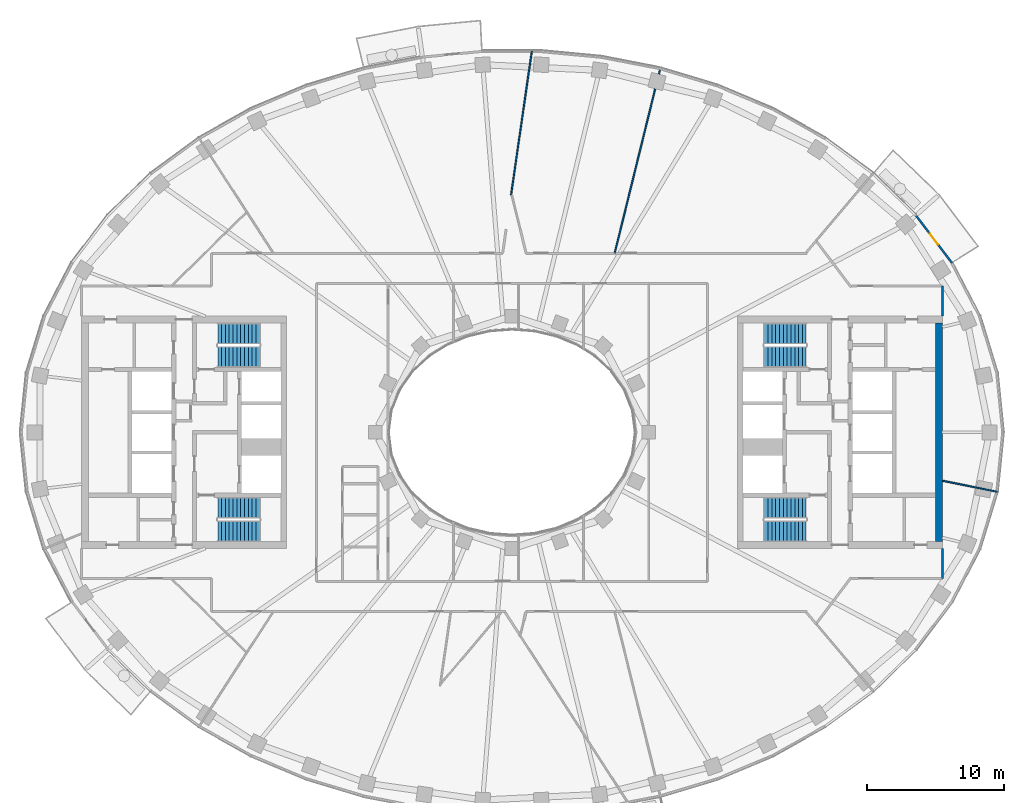
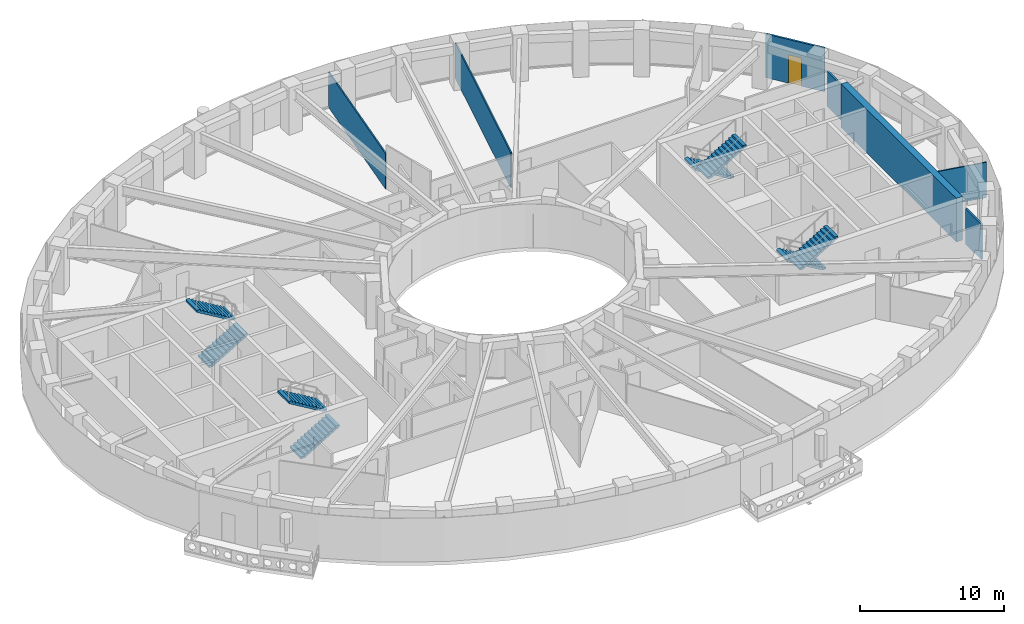
# One storey, part 7 of 16: 8 stair flights, 7 walls, 1 door, 1 opening, 4 elements without a shape of their own.
"""IFC4 building model written with IfcOpenShell, lengths in metres."""

from ifc_helpers import new_model, si_unit, direction, frame, frame_2d, origin, place, context, subcontext, project, spatial, polyline, rectangle, outline, extrude, material, layer, layer_set, type_object, element, fill, aggregate, save


model = new_model("IFC4")

# Units and contexts
model_context = context("Model", 3, precision=1e-05, world=origin(), true_north=direction((0.0, 1.0)))
body_context = subcontext(model_context, "Body", "Model", "MODEL_VIEW")
ifc_project = project(units=[si_unit("LENGTHUNIT", "METRE"), si_unit("AREAUNIT", "SQUARE_METRE"), si_unit("VOLUMEUNIT", "CUBIC_METRE"), si_unit("PLANEANGLEUNIT", "RADIAN"), si_unit("MASSUNIT", "GRAM", prefix="KILO")], contexts=[model_context])

# Site, building, storey
site_placement = place(None, origin())
site = spatial("IfcSite", under=ifc_project, at=site_placement, CompositionType="ELEMENT")
building_placement = place(site_placement, origin())
building = spatial("IfcBuilding", under=site, at=building_placement, Name="Noorbagh Ring Tower", CompositionType="ELEMENT")
storey_placement = place(building_placement, frame((0.0, 0.0, 257.5)))
storey = spatial("IfcBuildingStorey", under=building, at=storey_placement, Name="L54", CompositionType="ELEMENT", Elevation=257.5)

# Walls
ifc_material_1 = material(Name="Concrete C60/75", Category="concrete")
ifc_layer_1 = layer(ifc_material_1, 0.5)
ifc_layer_set_1 = layer_set([ifc_layer_1], Name="Concrete C60/75")
wall_type_1 = type_object("IfcWallType", Name="CORE-WALL-500-C60-75-EI240", PredefinedType="SHEAR", material=ifc_layer_set_1)
wall_1_placement = place(storey_placement, frame((31.25, -8.0, 0.0), z_axis=(0.0, 0.0, 1.0), x_axis=(0.0, 1.0, 0.0)))
element("IfcWall", 1, at=wall_1_placement, inside=storey, type_object=wall_type_1, Name="Core wall E", PredefinedType="SHEAR", context=body_context, shape_type="SweptSolid", body=[
    extrude(rectangle(XDim=16.0, YDim=0.5, at=frame_2d((8.0, 0.0))), origin(), (0.0, 0.0, 1.0), 3.699951171875),
])
ifc_material_2 = material(Name="Gypsum board on steel studs", Category="steel")
ifc_layer_2 = layer(ifc_material_2, 0.14990234375)
ifc_layer_set_2 = layer_set([ifc_layer_2], Name="Gypsum board on steel studs")
wall_type_2 = type_object("IfcWallType", Name="CORRIDOR PARTITION 150 EI 30", PredefinedType="PARTITIONING", material=ifc_layer_set_2)
for number, where, z_axis, x_axis, name in (
    (2, (31.5, -10.699951171875, 0.0), (0.0, 0.0, 1.0), (0.0, 1.0, 0.0), "L54/wall/P60"),
    (3, (31.5, 8.5, 0.0), (0.0, 0.0, 1.0), (0.0, 1.0, 0.0), "L54/wall/P62"),
):
    element("IfcWall", number, at=place(storey_placement, frame(where, z_axis=z_axis, x_axis=x_axis)), inside=storey, type_object=wall_type_2, Name=name, PredefinedType="PARTITIONING", context=body_context, shape_type="SweptSolid", body=[
        extrude(rectangle(XDim=2.199951171875, YDim=0.14990234375, at=frame_2d((1.10009765625, 0.0))), origin(), (0.0, 0.0, 1.0), 3.0),
    ])

# Wall, opening, door
ifc_material_3 = material(Name="Insulated aluminium clad panel", Category="aluminium")
ifc_layer_3 = layer(ifc_material_3, 0.14990234375)
ifc_layer_set_3 = layer_set([ifc_layer_3], Name="Insulated aluminium clad panel")
wall_type_3 = type_object("IfcWallType", Name="ENV-WALL-DOOR", PredefinedType="STANDARD", material=ifc_layer_set_3)
wall_2_placement = place(storey_placement, frame((32.20751953125, 12.37353515625, 0.0), z_axis=(0.0, 0.0, 1.0), x_axis=(-0.604045763106, 0.796949632081, 0.0)))
wall_2 = element("IfcWall", 4, at=wall_2_placement, inside=storey, type_object=wall_type_3, Name="Balcony door wall chord 04", PredefinedType="STANDARD", context=body_context, shape_type="SweptSolid", body=[
    extrude(rectangle(XDim=4.42333984375, YDim=0.14990234375, at=frame_2d((2.211669921875, 0.0))), origin(), (0.0, 0.0, 1.0), 3.699951171875),
])
opening_placement = place(wall_2_placement, frame((1.711669921875, 0.0, 0.0)))
opening = element("IfcOpeningElement", 5, at=opening_placement, cuts=wall_2, Name="Opening D-BL", PredefinedType="OPENING", context=body_context, shape_type="SweptSolid", body=[
    extrude(rectangle(XDim=1.0, YDim=2.39990234375, at=frame_2d((0.5, 1.199951171875))), frame((0.0, 0.0849609375, 0.0), z_axis=(0.0, -1.0, 0.0), x_axis=(1.0, 0.0, 0.0)), (0.0, 0.0, 1.0), 0.169921875),
])
ifc_material_4 = material(Name="Aluminium and glass", Category="aluminium")
door_type = type_object("IfcDoorType", Name="ENV-DOOR-BALCONY", OperationType="SINGLE_SWING_LEFT", PredefinedType="DOOR", material=ifc_material_4)
door_placement = place(opening_placement, origin())
door = element("IfcDoor", 6, at=door_placement, inside=storey, type_object=door_type, Name="Balcony door chord 04", OperationType="SINGLE_SWING_LEFT", OverallHeight=2.39990234375, OverallWidth=1.0, PredefinedType="DOOR", context=body_context, shape_type="SweptSolid", body=[
    extrude(rectangle(XDim=1.0, YDim=2.39990234375, at=frame_2d((0.5, 1.199951171875))), frame((0.0, 0.02490234375, 0.0), z_axis=(0.0, -1.0, 0.0), x_axis=(1.0, 0.0, 0.0)), (0.0, 0.0, 1.0), 0.050048828125),
])
fill(opening, door)

# Walls
ifc_material_5 = material(Name="Gypsum board on steel studs", Category="steel")
ifc_layer_4 = layer(ifc_material_5, 0.10009765625)
ifc_layer_set_4 = layer_set([ifc_layer_4], Name="Gypsum board on steel studs")
wall_type_4 = type_object("IfcWallType", Name="PARTITION 100 GYPSUM", PredefinedType="PARTITIONING", material=ifc_layer_set_4)
wall_3_placement = place(storey_placement, frame((-0.070068359375, 17.364013671875, 0.0), z_axis=(0.0, 0.0, 1.0), x_axis=(0.143049923822, 0.989715473909, 0.0)))
element("IfcWall", 7, at=wall_3_placement, inside=storey, type_object=wall_type_4, Name="L54/wall/P34", PredefinedType="PARTITIONING", context=body_context, shape_type="SweptSolid", body=[
    extrude(rectangle(XDim=10.639404296875, YDim=0.10009765625, at=frame_2d((5.31982421875, 0.0))), origin(), (0.0, 0.0, 1.0), 3.0),
])
wall_4_placement = place(storey_placement, frame((7.509033203125, 13.10009765625, 0.0), z_axis=(0.0, 0.0, 1.0), x_axis=(0.239669025128, 0.970854653588, 0.0)))
element("IfcWall", 8, at=wall_4_placement, inside=storey, type_object=wall_type_4, Name="L54/wall/P47", PredefinedType="PARTITIONING", context=body_context, shape_type="SweptSolid", body=[
    extrude(rectangle(XDim=13.95263671875, YDim=0.10009765625, at=frame_2d((6.976318359375, 0.0))), origin(), (0.0, 0.0, 1.0), 3.0),
])
wall_5_placement = place(storey_placement, frame((31.5, -3.5419921875, 0.0), z_axis=(0.0, 0.0, 1.0), x_axis=(0.980357474535, -0.197228857227, 0.0)))
element("IfcWall", 9, at=wall_5_placement, inside=storey, type_object=wall_type_4, Name="L54/wall/P61", PredefinedType="PARTITIONING", context=body_context, shape_type="SweptSolid", body=[
    extrude(rectangle(XDim=4.09228515625, YDim=0.10009765625, at=frame_2d((2.046142578125, 0.0))), origin(), (0.0, 0.0, 1.0), 3.0),
])

# Stair, stair flights
ifc_material_6 = material(Name="Concrete C40/50", Category="concrete")
stair_type = type_object("IfcStairType", Name="CORE-STAIR", PredefinedType="HALF_TURN_STAIR", material=ifc_material_6)
stair_1_placement = place(storey_placement, origin())
stair_1 = element("IfcStair", 10, at=stair_1_placement, inside=storey, type_object=stair_type, Name="L54 Exit stair ST1", PredefinedType="HALF_TURN_STAIR")
ifc_material_7 = material(Name="Concrete C40/50", Category="concrete")
stair_flight_type = type_object("IfcStairFlightType", Name="CORE-STAIR-FLIGHT", PredefinedType="STRAIGHT", material=ifc_material_7)
stair_flight_1_placement = place(storey_placement, frame((-21.530029296875, 5.52490234375, 0.0), z_axis=(0.0, 0.0, 1.0), x_axis=(1.0, 0.0, 0.0)))
stair_flight_1 = element("IfcStairFlight", 11, at=stair_flight_1_placement, type_object=stair_flight_type, Name="ST1 flight 1", NumberOfRisers=12, NumberOfTreads=11, PredefinedType="STRAIGHT", RiserHeight=0.166666667, TreadLength=0.28, context=body_context, shape_type="SweptSolid", body=[
    extrude(outline(polyline([(0.0, 0.0), (0.0, 0.166748046875), (0.280029296875, 0.166748046875), (0.280029296875, 0.333251953125), (0.56005859375, 0.333251953125), (0.56005859375, 0.5), (0.840087890625, 0.5), (0.840087890625, 0.666748046875), (1.1201171875, 0.666748046875), (1.1201171875, 0.833251953125), (1.39990234375, 0.833251953125), (1.39990234375, 1.0), (1.679931640625, 1.0), (1.679931640625, 1.166748046875), (1.9599609375, 1.166748046875), (1.9599609375, 1.333251953125), (2.239990234375, 1.333251953125), (2.239990234375, 1.5), (2.52001953125, 1.5), (2.52001953125, 1.666748046875), (2.800048828125, 1.666748046875), (2.800048828125, 1.833251953125), (3.080078125, 1.833251953125), (3.080078125, 2.0), (3.080078125, 1.658935546875), (0.29296875, 0.0), (0.0, 0.0)])), frame((0.0, 0.77490234375, 0.0), z_axis=(0.0, -1.0, 0.0), x_axis=(1.0, 0.0, 0.0)), (0.0, 0.0, 1.0), 1.550048828125),
])
stair_flight_2_placement = place(storey_placement, frame((-18.449951171875, 7.22509765625, 2.0), z_axis=(0.0, 0.0, 1.0), x_axis=(-1.0, 0.0, 0.0)))
stair_flight_2 = element("IfcStairFlight", 12, at=stair_flight_2_placement, type_object=stair_flight_type, Name="ST1 flight 2", NumberOfRisers=12, NumberOfTreads=11, PredefinedType="STRAIGHT", RiserHeight=0.166666667, TreadLength=0.28, context=body_context, shape_type="SweptSolid", body=[
    extrude(outline(polyline([(0.0, 0.0), (0.0, 0.166748046875), (0.280029296875, 0.166748046875), (0.280029296875, 0.333251953125), (0.56005859375, 0.333251953125), (0.56005859375, 0.5), (0.840087890625, 0.5), (0.840087890625, 0.666748046875), (1.1201171875, 0.666748046875), (1.1201171875, 0.833251953125), (1.39990234375, 0.833251953125), (1.39990234375, 1.0), (1.679931640625, 1.0), (1.679931640625, 1.166748046875), (1.9599609375, 1.166748046875), (1.9599609375, 1.333251953125), (2.239990234375, 1.333251953125), (2.239990234375, 1.5), (2.52001953125, 1.5), (2.52001953125, 1.666748046875), (2.800048828125, 1.666748046875), (2.800048828125, 1.833251953125), (3.080078125, 1.833251953125), (3.080078125, 2.0), (3.080078125, 1.658935546875), (0.29296875, 0.0), (0.0, 0.0)])), frame((0.0, 0.77490234375, 0.0), z_axis=(0.0, -1.0, 0.0), x_axis=(1.0, 0.0, 0.0)), (0.0, 0.0, 1.0), 1.550048828125),
])
aggregate(stair_1, [stair_flight_1, stair_flight_2])

stair_2_placement = place(storey_placement, origin())
stair_2 = element("IfcStair", 13, at=stair_2_placement, inside=storey, type_object=stair_type, Name="L54 Exit stair ST2", PredefinedType="HALF_TURN_STAIR")
stair_flight_3_placement = place(storey_placement, frame((-21.530029296875, -7.22509765625, 0.0), z_axis=(0.0, 0.0, 1.0), x_axis=(1.0, 0.0, 0.0)))
stair_flight_3 = element("IfcStairFlight", 14, at=stair_flight_3_placement, type_object=stair_flight_type, Name="ST2 flight 1", NumberOfRisers=12, NumberOfTreads=11, PredefinedType="STRAIGHT", RiserHeight=0.166666667, TreadLength=0.28, context=body_context, shape_type="SweptSolid", body=[
    extrude(outline(polyline([(0.0, 0.0), (0.0, 0.166748046875), (0.280029296875, 0.166748046875), (0.280029296875, 0.333251953125), (0.56005859375, 0.333251953125), (0.56005859375, 0.5), (0.840087890625, 0.5), (0.840087890625, 0.666748046875), (1.1201171875, 0.666748046875), (1.1201171875, 0.833251953125), (1.39990234375, 0.833251953125), (1.39990234375, 1.0), (1.679931640625, 1.0), (1.679931640625, 1.166748046875), (1.9599609375, 1.166748046875), (1.9599609375, 1.333251953125), (2.239990234375, 1.333251953125), (2.239990234375, 1.5), (2.52001953125, 1.5), (2.52001953125, 1.666748046875), (2.800048828125, 1.666748046875), (2.800048828125, 1.833251953125), (3.080078125, 1.833251953125), (3.080078125, 2.0), (3.080078125, 1.658935546875), (0.29296875, 0.0), (0.0, 0.0)])), frame((0.0, 0.77490234375, 0.0), z_axis=(0.0, -1.0, 0.0), x_axis=(1.0, 0.0, 0.0)), (0.0, 0.0, 1.0), 1.550048828125),
])
stair_flight_4_placement = place(storey_placement, frame((-18.449951171875, -5.52490234375, 2.0), z_axis=(0.0, 0.0, 1.0), x_axis=(-1.0, 0.0, 0.0)))
stair_flight_4 = element("IfcStairFlight", 15, at=stair_flight_4_placement, type_object=stair_flight_type, Name="ST2 flight 2", NumberOfRisers=12, NumberOfTreads=11, PredefinedType="STRAIGHT", RiserHeight=0.166666667, TreadLength=0.28, context=body_context, shape_type="SweptSolid", body=[
    extrude(outline(polyline([(0.0, 0.0), (0.0, 0.166748046875), (0.280029296875, 0.166748046875), (0.280029296875, 0.333251953125), (0.56005859375, 0.333251953125), (0.56005859375, 0.5), (0.840087890625, 0.5), (0.840087890625, 0.666748046875), (1.1201171875, 0.666748046875), (1.1201171875, 0.833251953125), (1.39990234375, 0.833251953125), (1.39990234375, 1.0), (1.679931640625, 1.0), (1.679931640625, 1.166748046875), (1.9599609375, 1.166748046875), (1.9599609375, 1.333251953125), (2.239990234375, 1.333251953125), (2.239990234375, 1.5), (2.52001953125, 1.5), (2.52001953125, 1.666748046875), (2.800048828125, 1.666748046875), (2.800048828125, 1.833251953125), (3.080078125, 1.833251953125), (3.080078125, 2.0), (3.080078125, 1.658935546875), (0.29296875, 0.0), (0.0, 0.0)])), frame((0.0, 0.77490234375, 0.0), z_axis=(0.0, -1.0, 0.0), x_axis=(1.0, 0.0, 0.0)), (0.0, 0.0, 1.0), 1.550048828125),
])
aggregate(stair_2, [stair_flight_3, stair_flight_4])

stair_3_placement = place(storey_placement, origin())
stair_3 = element("IfcStair", 16, at=stair_3_placement, inside=storey, type_object=stair_type, Name="L54 Exit stair ST3", PredefinedType="HALF_TURN_STAIR")
stair_flight_5_placement = place(storey_placement, frame((21.530029296875, 7.22509765625, 0.0), z_axis=(0.0, 0.0, 1.0), x_axis=(-1.0, 0.0, 0.0)))
stair_flight_5 = element("IfcStairFlight", 17, at=stair_flight_5_placement, type_object=stair_flight_type, Name="ST3 flight 1", NumberOfRisers=12, NumberOfTreads=11, PredefinedType="STRAIGHT", RiserHeight=0.166666667, TreadLength=0.28, context=body_context, shape_type="SweptSolid", body=[
    extrude(outline(polyline([(0.0, 0.0), (0.0, 0.166748046875), (0.280029296875, 0.166748046875), (0.280029296875, 0.333251953125), (0.56005859375, 0.333251953125), (0.56005859375, 0.5), (0.840087890625, 0.5), (0.840087890625, 0.666748046875), (1.1201171875, 0.666748046875), (1.1201171875, 0.833251953125), (1.39990234375, 0.833251953125), (1.39990234375, 1.0), (1.679931640625, 1.0), (1.679931640625, 1.166748046875), (1.9599609375, 1.166748046875), (1.9599609375, 1.333251953125), (2.239990234375, 1.333251953125), (2.239990234375, 1.5), (2.52001953125, 1.5), (2.52001953125, 1.666748046875), (2.800048828125, 1.666748046875), (2.800048828125, 1.833251953125), (3.080078125, 1.833251953125), (3.080078125, 2.0), (3.080078125, 1.658935546875), (0.29296875, 0.0), (0.0, 0.0)])), frame((0.0, 0.77490234375, 0.0), z_axis=(0.0, -1.0, 0.0), x_axis=(1.0, 0.0, 0.0)), (0.0, 0.0, 1.0), 1.550048828125),
])
stair_flight_6_placement = place(storey_placement, frame((18.449951171875, 5.52490234375, 2.0), z_axis=(0.0, 0.0, 1.0), x_axis=(1.0, 0.0, 0.0)))
stair_flight_6 = element("IfcStairFlight", 18, at=stair_flight_6_placement, type_object=stair_flight_type, Name="ST3 flight 2", NumberOfRisers=12, NumberOfTreads=11, PredefinedType="STRAIGHT", RiserHeight=0.166666667, TreadLength=0.28, context=body_context, shape_type="SweptSolid", body=[
    extrude(outline(polyline([(0.0, 0.0), (0.0, 0.166748046875), (0.280029296875, 0.166748046875), (0.280029296875, 0.333251953125), (0.56005859375, 0.333251953125), (0.56005859375, 0.5), (0.840087890625, 0.5), (0.840087890625, 0.666748046875), (1.1201171875, 0.666748046875), (1.1201171875, 0.833251953125), (1.39990234375, 0.833251953125), (1.39990234375, 1.0), (1.679931640625, 1.0), (1.679931640625, 1.166748046875), (1.9599609375, 1.166748046875), (1.9599609375, 1.333251953125), (2.239990234375, 1.333251953125), (2.239990234375, 1.5), (2.52001953125, 1.5), (2.52001953125, 1.666748046875), (2.800048828125, 1.666748046875), (2.800048828125, 1.833251953125), (3.080078125, 1.833251953125), (3.080078125, 2.0), (3.080078125, 1.658935546875), (0.29296875, 0.0), (0.0, 0.0)])), frame((0.0, 0.77490234375, 0.0), z_axis=(0.0, -1.0, 0.0), x_axis=(1.0, 0.0, 0.0)), (0.0, 0.0, 1.0), 1.550048828125),
])
aggregate(stair_3, [stair_flight_5, stair_flight_6])

stair_4_placement = place(storey_placement, origin())
stair_4 = element("IfcStair", 19, at=stair_4_placement, inside=storey, type_object=stair_type, Name="L54 Exit stair ST4", PredefinedType="HALF_TURN_STAIR")
stair_flight_7_placement = place(storey_placement, frame((21.530029296875, -5.52490234375, 0.0), z_axis=(0.0, 0.0, 1.0), x_axis=(-1.0, 0.0, 0.0)))
stair_flight_7 = element("IfcStairFlight", 20, at=stair_flight_7_placement, type_object=stair_flight_type, Name="ST4 flight 1", NumberOfRisers=12, NumberOfTreads=11, PredefinedType="STRAIGHT", RiserHeight=0.166666667, TreadLength=0.28, context=body_context, shape_type="SweptSolid", body=[
    extrude(outline(polyline([(0.0, 0.0), (0.0, 0.166748046875), (0.280029296875, 0.166748046875), (0.280029296875, 0.333251953125), (0.56005859375, 0.333251953125), (0.56005859375, 0.5), (0.840087890625, 0.5), (0.840087890625, 0.666748046875), (1.1201171875, 0.666748046875), (1.1201171875, 0.833251953125), (1.39990234375, 0.833251953125), (1.39990234375, 1.0), (1.679931640625, 1.0), (1.679931640625, 1.166748046875), (1.9599609375, 1.166748046875), (1.9599609375, 1.333251953125), (2.239990234375, 1.333251953125), (2.239990234375, 1.5), (2.52001953125, 1.5), (2.52001953125, 1.666748046875), (2.800048828125, 1.666748046875), (2.800048828125, 1.833251953125), (3.080078125, 1.833251953125), (3.080078125, 2.0), (3.080078125, 1.658935546875), (0.29296875, 0.0), (0.0, 0.0)])), frame((0.0, 0.77490234375, 0.0), z_axis=(0.0, -1.0, 0.0), x_axis=(1.0, 0.0, 0.0)), (0.0, 0.0, 1.0), 1.550048828125),
])
stair_flight_8_placement = place(storey_placement, frame((18.449951171875, -7.22509765625, 2.0), z_axis=(0.0, 0.0, 1.0), x_axis=(1.0, 0.0, 0.0)))
stair_flight_8 = element("IfcStairFlight", 21, at=stair_flight_8_placement, type_object=stair_flight_type, Name="ST4 flight 2", NumberOfRisers=12, NumberOfTreads=11, PredefinedType="STRAIGHT", RiserHeight=0.166666667, TreadLength=0.28, context=body_context, shape_type="SweptSolid", body=[
    extrude(outline(polyline([(0.0, 0.0), (0.0, 0.166748046875), (0.280029296875, 0.166748046875), (0.280029296875, 0.333251953125), (0.56005859375, 0.333251953125), (0.56005859375, 0.5), (0.840087890625, 0.5), (0.840087890625, 0.666748046875), (1.1201171875, 0.666748046875), (1.1201171875, 0.833251953125), (1.39990234375, 0.833251953125), (1.39990234375, 1.0), (1.679931640625, 1.0), (1.679931640625, 1.166748046875), (1.9599609375, 1.166748046875), (1.9599609375, 1.333251953125), (2.239990234375, 1.333251953125), (2.239990234375, 1.5), (2.52001953125, 1.5), (2.52001953125, 1.666748046875), (2.800048828125, 1.666748046875), (2.800048828125, 1.833251953125), (3.080078125, 1.833251953125), (3.080078125, 2.0), (3.080078125, 1.658935546875), (0.29296875, 0.0), (0.0, 0.0)])), frame((0.0, 0.77490234375, 0.0), z_axis=(0.0, -1.0, 0.0), x_axis=(1.0, 0.0, 0.0)), (0.0, 0.0, 1.0), 1.550048828125),
])
aggregate(stair_4, [stair_flight_7, stair_flight_8])

save(model, "model.ifc")
